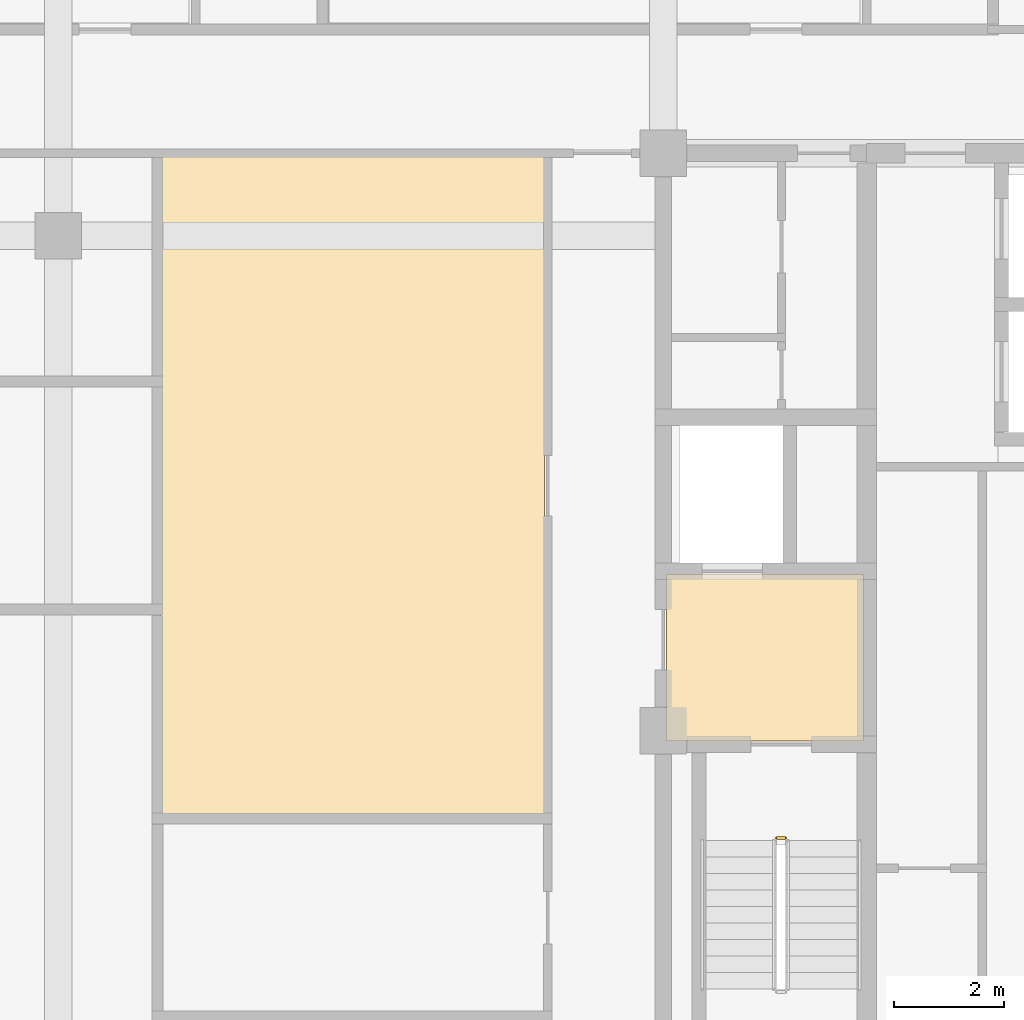
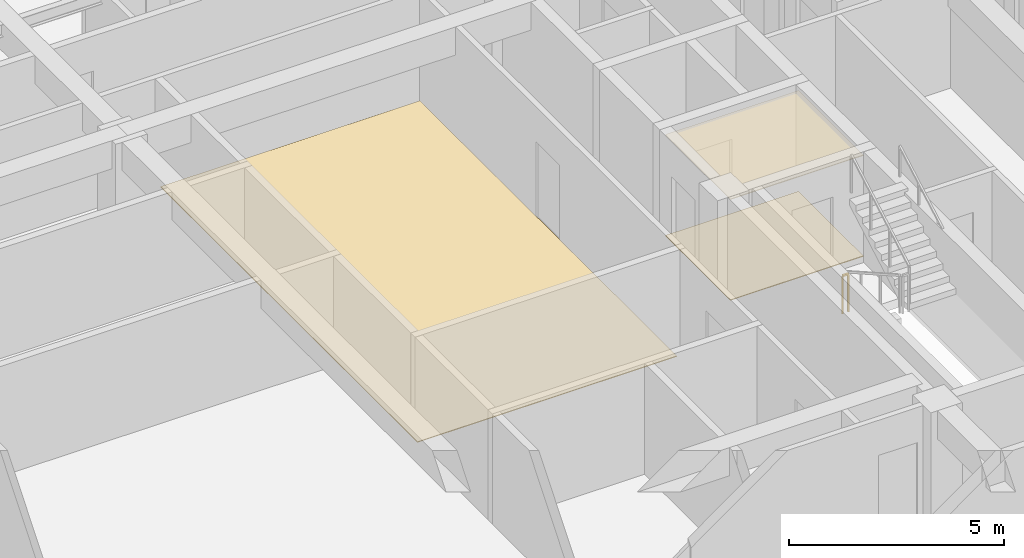
# One storey, part 13 of 14: 3 coverings, 1 railing.
"""IFC4 building model written with IfcOpenShell, lengths in metres."""

import ifcopenshell
import ifcopenshell.guid

model = None  # the IFC model being written
_history = None  # IfcOwnerHistory: only IFC2X3 demands one
_inside = {}  # id of a spatial element -> (the spatial element, [elements in it])
_under = {}  # id of a project, library or spatial element -> (it, [spatial elements below it])
_declared = {}  # id of a project -> (the project, [libraries it declares])
_typed = {}  # id of a type object -> (the type object, [elements of that type])
_made_of = {}  # id of a material, layer set ... -> (it, [elements and type objects made of it])


def new_model(schema):
    """Start an empty IFC model of exactly this schema.

    Asked for "IFC4X3", IfcOpenShell would pick the latest addendum, in which some entities
    have other attributes; the version numbers below select the first issue.
    IFC2X3 requires an IfcOwnerHistory on every rooted entity: one is made here for all.
    """
    global model, _history
    if schema == "IFC4X3":
        model = ifcopenshell.file(schema_version=(4, 3, 0, 0))
    else:
        model = ifcopenshell.file(schema=schema)
    _inside.clear()
    _under.clear()
    _declared.clear()
    _typed.clear()
    _made_of.clear()
    _history = None
    if model.schema == "IFC2X3":
        org = make("IfcOrganization", Name="unknown")
        user = make(
            "IfcPersonAndOrganization",
            ThePerson=make("IfcPerson", FamilyName="unknown"),
            TheOrganization=org,
        )
        app = make(
            "IfcApplication",
            ApplicationDeveloper=org,
            Version="unknown",
            ApplicationFullName="unknown",
            ApplicationIdentifier="unknown",
        )
        _history = make(
            "IfcOwnerHistory",
            OwningUser=user,
            OwningApplication=app,
            ChangeAction="ADDED",
            CreationDate=0,
        )
    return model


def make(cls, **values):
    """One entity of the class cls with the attributes given. An attribute that is None is left unset."""
    return model.create_entity(
        cls, **{name: value for name, value in values.items() if value is not None}
    )


def rooted(cls, **values):
    """An entity with a GlobalId (a new one), such as an element, a storey or a relation."""
    return make(cls, GlobalId=ifcopenshell.guid.new(), OwnerHistory=_history, **values)


def si_unit(unit_type, name, prefix=None):
    """IfcSIUnit, for example si_unit("LENGTHUNIT", "METRE", prefix="MILLI")."""
    return make("IfcSIUnit", UnitType=unit_type, Prefix=prefix, Name=name)


def assignment(units):
    """IfcUnitAssignment: the units of a project."""
    return None if units is None else make("IfcUnitAssignment", Units=units)


def point(xyz):
    """IfcCartesianPoint."""
    return None if xyz is None else make("IfcCartesianPoint", Coordinates=xyz)


def direction(xyz):
    """IfcDirection."""
    return None if xyz is None else make("IfcDirection", DirectionRatios=xyz)


def frame(location, z_axis=None, x_axis=None):
    """IfcAxis2Placement3D, a coordinate frame: its origin and axes. An axis left out is left unset."""
    return make(
        "IfcAxis2Placement3D",
        Location=point(location),
        Axis=direction(z_axis),
        RefDirection=direction(x_axis),
    )


def frame_2d(location, x_axis=None):
    """IfcAxis2Placement2D, a coordinate frame in the plane: its origin and x axis."""
    return make(
        "IfcAxis2Placement2D", Location=point(location), RefDirection=direction(x_axis)
    )


def origin():
    """The frame at (0, 0, 0) with its axes left unset."""
    return frame((0.0, 0.0, 0.0))


def origin_2d():
    """The frame at (0, 0) in the plane with its x axis left unset."""
    return frame_2d((0.0, 0.0))


def place(relative_to, where):
    """IfcLocalPlacement: puts the frame where relative to a parent placement (None: the world)."""
    return make(
        "IfcLocalPlacement", PlacementRelTo=relative_to, RelativePlacement=where
    )


def context(
    kind, dimensions, precision=None, world=None, true_north=None, identifier=None
):
    """IfcGeometricRepresentationContext, for example the 3D "Model" context."""
    return make(
        "IfcGeometricRepresentationContext",
        ContextIdentifier=identifier,
        ContextType=kind,
        CoordinateSpaceDimension=dimensions,
        Precision=precision,
        WorldCoordinateSystem=world,
        TrueNorth=true_north,
    )


def subcontext(parent, identifier, kind, view, scale=None):
    """IfcGeometricRepresentationSubContext, for example "Body" below "Model"."""
    return make(
        "IfcGeometricRepresentationSubContext",
        ContextIdentifier=identifier,
        ContextType=kind,
        ParentContext=parent,
        TargetScale=scale,
        TargetView=view,
    )


def project(units=None, contexts=None):
    """IfcProject with its units and contexts."""
    return rooted(
        "IfcProject",
        Name="project",
        RepresentationContexts=contexts,
        UnitsInContext=assignment(units),
    )


def spatial(cls, under=None, at=None, **own):
    """A site, building, storey or space (cls), placed at a placement, below another one or the project."""
    s = rooted(cls, ObjectPlacement=at, **own)
    if under is not None:
        _under.setdefault(under.id(), (under, []))[1].append(s)
    return s


def polyline(points):
    """IfcPolyline through the points."""
    return make("IfcPolyline", Points=[point(p) for p in points])


def profile(cls, at=None, kind="AREA", **sizes):
    """A parametric profile (cls). Its sizes go by their IFC names, for example OverallWidth=200.0."""
    return make(cls, ProfileType=kind, Position=at, **sizes)


def rectangle(**sizes):
    """IfcRectangleProfileDef."""
    return profile("IfcRectangleProfileDef", **sizes)


def outline(outer, holes=None, kind="AREA"):
    """IfcArbitraryClosedProfileDef: a profile drawn as a closed curve; with holes, ...WithVoids."""
    if holes is None:
        return make("IfcArbitraryClosedProfileDef", ProfileType=kind, OuterCurve=outer)
    return make(
        "IfcArbitraryProfileDefWithVoids",
        ProfileType=kind,
        OuterCurve=outer,
        InnerCurves=holes,
    )


def extrude(swept, where, along, depth):
    """IfcExtrudedAreaSolid: the profile swept, set in the frame where, extruded along a direction by depth."""
    return make(
        "IfcExtrudedAreaSolid",
        SweptArea=swept,
        Position=where,
        ExtrudedDirection=direction(along),
        Depth=depth,
    )


def shape(context_of_items, identifier, shape_type, items):
    """IfcShapeRepresentation: the items that make up one representation, for example the "Body"."""
    return make(
        "IfcShapeRepresentation",
        ContextOfItems=context_of_items,
        RepresentationIdentifier=identifier,
        RepresentationType=shape_type,
        Items=items,
    )


def material(Name=None, Category=None):
    """IfcMaterial."""
    return make("IfcMaterial", Name=Name, Category=Category)


def layer(
    of_material, thickness, ventilated=None, Name=None, Category=None, Priority=None
):
    """IfcMaterialLayer: one layer of a wall or slab, of a material (None: an air gap)."""
    return make(
        "IfcMaterialLayer",
        Material=of_material,
        LayerThickness=thickness,
        IsVentilated=ventilated,
        Name=Name,
        Category=Category,
        Priority=Priority,
    )


def layer_set(layers, Name=None):
    """IfcMaterialLayerSet."""
    return make("IfcMaterialLayerSet", MaterialLayers=layers, LayerSetName=Name)


def made_of(thing, what):
    """Note that an element or type object is made of a material, layer set ...; save() writes the relation."""
    if what is not None:
        _made_of.setdefault(what.id(), (what, []))[1].append(thing)
    return thing


def type_object(cls, material=None, **own):
    """A type object (cls), such as IfcWallType, which elements share."""
    return made_of(rooted(cls, **own), material)


def element(
    cls,
    number,
    at=None,
    inside=None,
    cuts=None,
    type_object=None,
    material=None,
    context=None,
    identifier="Body",
    shape_type=None,
    held_by="IfcProductDefinitionShape",
    body=None,
    shapes=None,
    **own,
):
    """One element of the class cls, such as IfcWall. Its Tag is "e" and its number.

    at: its placement. inside: the storey or other place that contains it. cuts: it is an
    opening in that element (IfcRelVoidsElement). A single representation is given by context,
    identifier, shape_type and body (its items); several are given by shapes. held_by: the class
    of the entity that holds the representations. save() writes the other relations.
    """
    e = rooted(cls, Tag="e%d" % number, ObjectPlacement=at, **own)
    if body is not None:
        shapes = [shape(context, identifier, shape_type, body)]
    if shapes is not None:
        e.Representation = make(held_by, Representations=shapes)
    if inside is not None:
        _inside.setdefault(inside.id(), (inside, []))[1].append(e)
    if cuts is not None:
        rooted(
            "IfcRelVoidsElement", RelatingBuildingElement=cuts, RelatedOpeningElement=e
        )
    if type_object is not None:
        _typed.setdefault(type_object.id(), (type_object, []))[1].append(e)
    return made_of(e, material)


def aggregate(whole, parts):
    """IfcRelAggregates: a whole, such as a stair, and the parts it consists of."""
    return rooted("IfcRelAggregates", RelatingObject=whole, RelatedObjects=parts)


def save(model, path):
    """Write the relations noted so far, then the file.

    IfcRelAggregates (storeys below a building ...), IfcRelContainedInSpatialStructure (elements
    in a storey), IfcRelDefinesByType, IfcRelAssociatesMaterial and IfcRelDeclares: one each for
    every whole, place, type object, material and project.
    """
    for whole, parts in _under.values():
        aggregate(whole, parts)
    for where, things in _inside.values():
        rooted(
            "IfcRelContainedInSpatialStructure",
            RelatedElements=things,
            RelatingStructure=where,
        )
    for kind, things in _typed.values():
        rooted("IfcRelDefinesByType", RelatedObjects=things, RelatingType=kind)
    for what, things in _made_of.values():
        rooted("IfcRelAssociatesMaterial", RelatedObjects=things, RelatingMaterial=what)
    for by, libraries in _declared.values():
        rooted("IfcRelDeclares", RelatingContext=by, RelatedDefinitions=libraries)
    model.write(path)


model = new_model("IFC4")

# Units and contexts
model_context = context("Model", 3, precision=1e-05, world=origin(), true_north=direction((0.0, 1.0)))
body_context = subcontext(model_context, "Body", "Model", "MODEL_VIEW")
ifc_project = project(units=[si_unit("LENGTHUNIT", "METRE"), si_unit("AREAUNIT", "SQUARE_METRE"), si_unit("VOLUMEUNIT", "CUBIC_METRE"), si_unit("PLANEANGLEUNIT", "RADIAN"), si_unit("MASSUNIT", "GRAM", prefix="KILO")], contexts=[model_context])

# Site, building, storey
site_placement = place(None, origin())
site = spatial("IfcSite", under=ifc_project, at=site_placement, CompositionType="ELEMENT")
building_placement = place(site_placement, origin())
building = spatial("IfcBuilding", under=site, at=building_placement, Name="Zulmaris Gate Convention Tower", CompositionType="ELEMENT")
storey_placement = place(building_placement, frame((0.0, 0.0, 205.06005859375)))
storey = spatial("IfcBuildingStorey", under=building, at=storey_placement, Name="L53", CompositionType="ELEMENT", Elevation=205.06005859375)

# Coverings
ifc_material_1 = material(Name="Mineral Fibre Acoustic Ceiling Tile")
ifc_layer_1 = layer(ifc_material_1, 0.02001953125, Name="Mineral Fibre Acoustic Ceiling Tile")
ifc_layer_set_1 = layer_set([ifc_layer_1], Name="Mineral Fibre Acoustic Ceiling Tile")
covering_type_1 = type_object("IfcCoveringType", Name="CLG-ACOUSTIC-600", PredefinedType="CEILING", material=ifc_layer_set_1)
covering_1_placement = place(storey_placement, frame((0.0, 0.0, 2.869873046875)))
element("IfcCovering", 1, at=covering_1_placement, inside=storey, type_object=covering_type_1, Name="CLG-L53-R08", PredefinedType="CEILING", context=body_context, shape_type="SweptSolid", body=[
    extrude(outline(polyline([(11.06005859375, -0.18994140625), (14.639892578125, -0.18994140625), (14.639892578125, 2.840087890625), (11.06005859375, 2.840087890625), (11.06005859375, -0.18994140625)])), origin(), (0.0, 0.0, 1.0), 0.02001953125),
])
ifc_material_2 = material(Name="Woven Acoustic Wool Carpet Tile")
ifc_layer_2 = layer(ifc_material_2, 0.02001953125, Name="Woven Acoustic Wool Carpet Tile")
ifc_layer_set_2 = layer_set([ifc_layer_2], Name="Woven Acoustic Wool Carpet Tile")
covering_type_2 = type_object("IfcCoveringType", Name="FLR-CARPET-12", PredefinedType="FLOORING", material=ifc_layer_set_2)
covering_2_placement = place(storey_placement, origin())
element("IfcCovering", 2, at=covering_2_placement, inside=storey, type_object=covering_type_2, Name="FLR-L53-R08", PredefinedType="FLOORING", context=body_context, shape_type="SweptSolid", body=[
    extrude(outline(polyline([(11.06005859375, -0.18994140625), (14.639892578125, -0.18994140625), (14.639892578125, 2.840087890625), (11.06005859375, 2.840087890625), (11.06005859375, -0.18994140625)])), origin(), (0.0, 0.0, 1.0), 0.02001953125),
])
ifc_material_3 = material(Name="Engineered Teak Parquet Flooring")
ifc_layer_3 = layer(ifc_material_3, 0.02001953125, Name="Engineered Teak Parquet Flooring")
ifc_layer_set_3 = layer_set([ifc_layer_3], Name="Engineered Teak Parquet Flooring")
covering_type_3 = type_object("IfcCoveringType", Name="FLR-TIMBER-18", PredefinedType="FLOORING", material=ifc_layer_set_3)
covering_3_placement = place(storey_placement, origin())
element("IfcCovering", 3, at=covering_3_placement, inside=storey, type_object=covering_type_3, Name="FLR-L53-R54", PredefinedType="FLOORING", context=body_context, shape_type="SweptSolid", body=[
    extrude(outline(polyline([(1.860107421875, -1.5400390625), (8.840087890625, -1.5400390625), (8.840087890625, 10.43994140625), (1.860107421875, 10.43994140625), (1.860107421875, -1.5400390625)])), origin(), (0.0, 0.0, 1.0), 0.02001953125),
])

# Railing
ifc_material_4 = material(Name="Painted Galvanised Steel", Category="steel")
railing_type = type_object("IfcRailingType", Name="RL-STG-1150", PredefinedType="GUARDRAIL", material=ifc_material_4)
railing_placement = place(storey_placement, frame((13.06005859375, -1.949951171875, 0.0)))
element("IfcRailing", 4, at=railing_placement, inside=storey, type_object=railing_type, Name="L53 ST-2 stair guard 4", PredefinedType="GUARDRAIL", context=body_context, shape_type="SweptSolid", body=[
    extrude(rectangle(XDim=0.048095703125, YDim=0.048095703125, at=origin_2d()), frame((0.0, 0.0, 1.076171875), z_axis=(1.0, 0.0, 0.0), x_axis=(0.0, 1.0, 0.0)), (0.0, 0.0, 1.0), 0.159912109375),
    extrude(rectangle(XDim=0.0419921875, YDim=0.0419921875, at=origin_2d()), origin(), (0.0, 0.0, 1.0), 1.052001953125),
    extrude(rectangle(XDim=0.0419921875, YDim=0.0419921875, at=origin_2d()), frame((0.159912109375, 0.0, 0.0)), (0.0, 0.0, 1.0), 1.052001953125),
])

save(model, "model.ifc")
